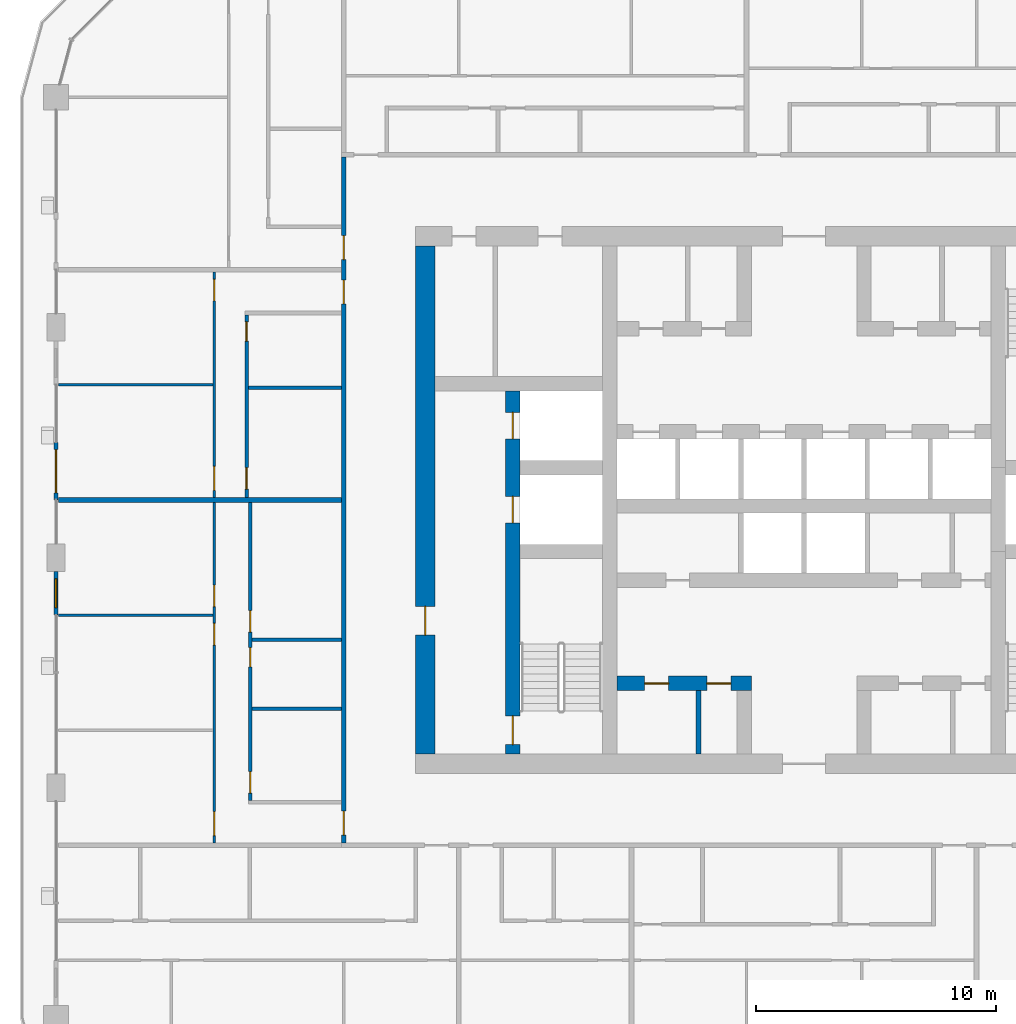
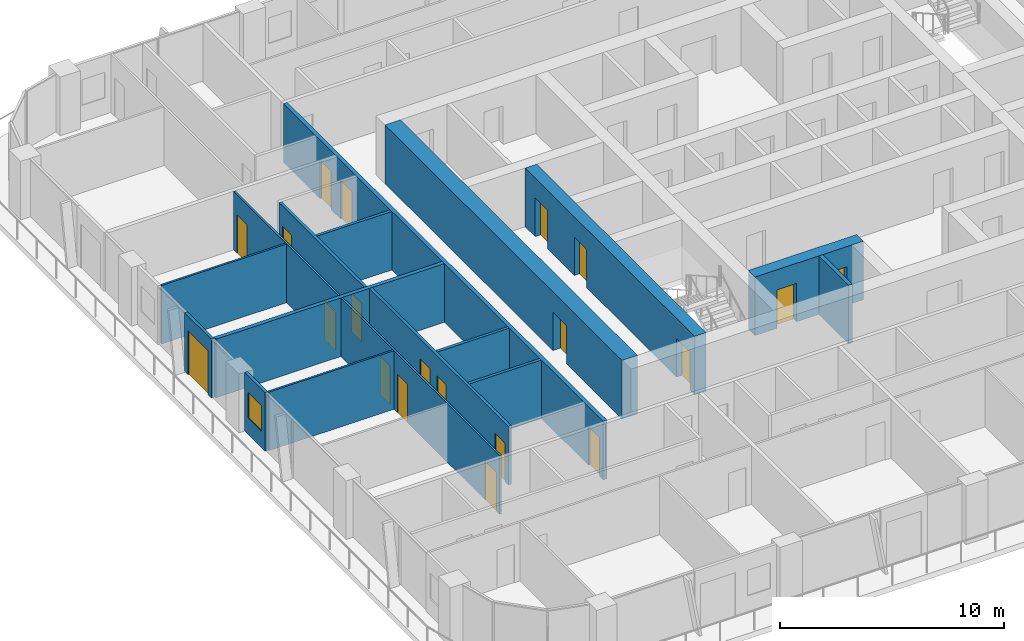
# One storey, part 10 of 22: 20 doors, 17 walls, 1 window, 21 openings.
"""IFC4 building model written with IfcOpenShell, lengths in metres."""

from ifc_helpers import new_model, si_unit, direction, frame, frame_2d, origin, place, context, subcontext, project, spatial, rectangle, extrude, material, layer, layer_set, type_object, element, fill, save


model = new_model("IFC4")

# Units and contexts
model_context = context("Model", 3, precision=1e-05, world=origin(), true_north=direction((0.0, 1.0)))
body_context = subcontext(model_context, "Body", "Model", "MODEL_VIEW")
ifc_project = project(units=[si_unit("LENGTHUNIT", "METRE"), si_unit("AREAUNIT", "SQUARE_METRE"), si_unit("VOLUMEUNIT", "CUBIC_METRE"), si_unit("PLANEANGLEUNIT", "RADIAN"), si_unit("MASSUNIT", "GRAM", prefix="KILO")], contexts=[model_context])

# Site, building, storey
site_placement = place(None, origin())
site = spatial("IfcSite", under=ifc_project, at=site_placement, CompositionType="ELEMENT")
building_placement = place(site_placement, origin())
building = spatial("IfcBuilding", under=site, at=building_placement, Name="Madar Terraces", CompositionType="ELEMENT")
storey_placement = place(building_placement, frame((0.0, 0.0, 159.5)))
storey = spatial("IfcBuildingStorey", under=building, at=storey_placement, Name="L41", CompositionType="ELEMENT", Elevation=159.5)

# Wall, openings, doors
ifc_material_1 = material(Name="Concrete C70/85", Category="concrete")
ifc_layer_1 = layer(ifc_material_1, 0.60009765625)
ifc_layer_set_1 = layer_set([ifc_layer_1], Name="Concrete C70/85 (CIW3 RC wall 600)")
wall_type_1 = type_object("IfcWallType", Name="CIW3 RC wall 600", PredefinedType="SHEAR", material=ifc_layer_set_1)
wall_1_placement = place(storey_placement, frame((19.050048828125, 15.800048828125, 0.0), z_axis=(0.0, 0.0, 1.0), x_axis=(0.0, 1.0, 0.0)))
wall_1 = element("IfcWall", 1, at=wall_1_placement, inside=storey, type_object=wall_type_1, Name="CORE SHAFT WALL", PredefinedType="SHEAR", context=body_context, shape_type="SweptSolid", body=[
    extrude(rectangle(XDim=15.14990234375, YDim=0.60009765625, at=frame_2d((7.574951171875, 0.0))), origin(), (0.0, 0.0, 1.0), 3.199951171875),
])
opening_1_placement = place(wall_1_placement, frame((9.64990234375, 0.0, 0.0)))
opening_1 = element("IfcOpeningElement", 2, at=opening_1_placement, cuts=wall_1, Name="Opening LD", PredefinedType="OPENING", context=body_context, shape_type="SweptSolid", body=[
    extrude(rectangle(XDim=1.10009765625, YDim=2.10009765625, at=frame_2d((0.550048828125, 1.050048828125))), frame((0.0, 0.31005859375, 0.0), z_axis=(0.0, -1.0, 0.0), x_axis=(1.0, 0.0, 0.0)), (0.0, 0.0, 1.0), 0.6201171875),
])
opening_2_placement = place(wall_1_placement, frame((13.14990234375, 0.0, 0.0)))
opening_2 = element("IfcOpeningElement", 3, at=opening_2_placement, cuts=wall_1, Name="Opening LD", PredefinedType="OPENING", context=body_context, shape_type="SweptSolid", body=[
    extrude(rectangle(XDim=1.10009765625, YDim=2.10009765625, at=frame_2d((0.550048828125, 1.050048828125))), frame((0.0, 0.31005859375, 0.0), z_axis=(0.0, -1.0, 0.0), x_axis=(1.0, 0.0, 0.0)), (0.0, 0.0, 1.0), 0.6201171875),
])
opening_3_placement = place(wall_1_placement, frame((0.39990234375, 0.0, 0.0)))
opening_3 = element("IfcOpeningElement", 4, at=opening_3_placement, cuts=wall_1, Name="Opening SD1", PredefinedType="OPENING", context=body_context, shape_type="SweptSolid", body=[
    extrude(rectangle(XDim=1.199951171875, YDim=2.10009765625, at=frame_2d((0.60009765625, 1.050048828125))), frame((0.0, 0.31005859375, 0.0), z_axis=(0.0, -1.0, 0.0), x_axis=(1.0, 0.0, 0.0)), (0.0, 0.0, 1.0), 0.6201171875),
])
ifc_material_2 = material(Name="Stainless steel panel", Category="steel")
door_type_1 = type_object("IfcDoorType", Name="Lift landing door 1100 x 2100", OperationType="DOUBLE_DOOR_SLIDING", PredefinedType="DOOR", material=ifc_material_2)
door_1_placement = place(opening_1_placement, origin())
door_1 = element("IfcDoor", 5, at=door_1_placement, inside=storey, type_object=door_type_1, Name="LIFT LANDING DOOR", OperationType="DOUBLE_DOOR_SLIDING", OverallHeight=2.10009765625, OverallWidth=1.10009765625, PredefinedType="DOOR", context=body_context, shape_type="SweptSolid", body=[
    extrude(rectangle(XDim=1.10009765625, YDim=2.10009765625, at=frame_2d((0.550048828125, 1.050048828125))), frame((0.0, 0.02490234375, 0.0), z_axis=(0.0, -1.0, 0.0), x_axis=(1.0, 0.0, 0.0)), (0.0, 0.0, 1.0), 0.050048828125),
])
fill(opening_1, door_1)
door_2_placement = place(opening_2_placement, origin())
door_2 = element("IfcDoor", 6, at=door_2_placement, inside=storey, type_object=door_type_1, Name="LIFT LANDING DOOR", OperationType="DOUBLE_DOOR_SLIDING", OverallHeight=2.10009765625, OverallWidth=1.10009765625, PredefinedType="DOOR", context=body_context, shape_type="SweptSolid", body=[
    extrude(rectangle(XDim=1.10009765625, YDim=2.10009765625, at=frame_2d((0.550048828125, 1.050048828125))), frame((0.0, 0.02490234375, 0.0), z_axis=(0.0, -1.0, 0.0), x_axis=(1.0, 0.0, 0.0)), (0.0, 0.0, 1.0), 0.050048828125),
])
fill(opening_2, door_2)
ifc_material_3 = material(Name="Steel door leaf", Category="steel")
door_type_2 = type_object("IfcDoorType", Name="Stair door 1200 x 2100", OperationType="NOTDEFINED", PredefinedType="DOOR", material=ifc_material_3)
door_3_placement = place(opening_3_placement, frame((1.199951171875, 0.0, 0.0), z_axis=(0.0, 0.0, 1.0), x_axis=(-1.0, 0.0, 0.0)))
door_3 = element("IfcDoor", 7, at=door_3_placement, inside=storey, type_object=door_type_2, Name="STAIR DOOR", OperationType="SINGLE_SWING_LEFT", OverallHeight=2.10009765625, OverallWidth=1.199951171875, PredefinedType="DOOR", context=body_context, shape_type="SweptSolid", body=[
    extrude(rectangle(XDim=1.199951171875, YDim=2.10009765625, at=frame_2d((0.60009765625, 1.050048828125))), frame((0.0, 0.02490234375, 0.0), z_axis=(0.0, -1.0, 0.0), x_axis=(1.0, 0.0, 0.0)), (0.0, 0.0, 1.0), 0.050048828125),
])
fill(opening_3, door_3)

wall_2_placement = place(storey_placement, frame((23.39990234375, 18.75, 0.0), z_axis=(0.0, 0.0, 1.0), x_axis=(1.0, 0.0, 0.0)))
wall_2 = element("IfcWall", 8, at=wall_2_placement, inside=storey, type_object=wall_type_1, Name="CORE SHAFT WALL", PredefinedType="SHEAR", context=body_context, shape_type="SweptSolid", body=[
    extrude(rectangle(XDim=5.60009765625, YDim=0.60009765625, at=frame_2d((2.800048828125, 0.0))), origin(), (0.0, 0.0, 1.0), 3.199951171875),
])
opening_4_placement = place(wall_2_placement, frame((1.14990234375, 0.0, 0.0)))
opening_4 = element("IfcOpeningElement", 9, at=opening_4_placement, cuts=wall_2, Name="Opening KD2", PredefinedType="OPENING", context=body_context, shape_type="SweptSolid", body=[
    extrude(rectangle(XDim=1.0, YDim=2.10009765625, at=frame_2d((0.5, 1.050048828125))), frame((0.0, 0.31005859375, 0.0), z_axis=(0.0, -1.0, 0.0), x_axis=(1.0, 0.0, 0.0)), (0.0, 0.0, 1.0), 0.6201171875),
])
opening_5_placement = place(wall_2_placement, frame((3.75, 0.0, 0.0)))
opening_5 = element("IfcOpeningElement", 10, at=opening_5_placement, cuts=wall_2, Name="Opening KD2", PredefinedType="OPENING", context=body_context, shape_type="SweptSolid", body=[
    extrude(rectangle(XDim=1.0, YDim=2.10009765625, at=frame_2d((0.5, 1.050048828125))), frame((0.0, 0.31005859375, 0.0), z_axis=(0.0, -1.0, 0.0), x_axis=(1.0, 0.0, 0.0)), (0.0, 0.0, 1.0), 0.6201171875),
])
ifc_material_4 = material(Name="Steel door leaf", Category="steel")
door_type_3 = type_object("IfcDoorType", Name="Service room door 1000 x 2100", OperationType="NOTDEFINED", PredefinedType="DOOR", material=ifc_material_4)
door_4_placement = place(opening_4_placement, origin())
door_4 = element("IfcDoor", 11, at=door_4_placement, inside=storey, type_object=door_type_3, Name="SERVICE ROOM DOOR", OperationType="SINGLE_SWING_LEFT", OverallHeight=2.10009765625, OverallWidth=1.0, PredefinedType="DOOR", context=body_context, shape_type="SweptSolid", body=[
    extrude(rectangle(XDim=1.0, YDim=2.10009765625, at=frame_2d((0.5, 1.050048828125))), frame((0.0, 0.02490234375, 0.0), z_axis=(0.0, -1.0, 0.0), x_axis=(1.0, 0.0, 0.0)), (0.0, 0.0, 1.0), 0.050048828125),
])
fill(opening_4, door_4)
door_5_placement = place(opening_5_placement, origin())
door_5 = element("IfcDoor", 12, at=door_5_placement, inside=storey, type_object=door_type_3, Name="SERVICE ROOM DOOR", OperationType="SINGLE_SWING_RIGHT", OverallHeight=2.10009765625, OverallWidth=1.0, PredefinedType="DOOR", context=body_context, shape_type="SweptSolid", body=[
    extrude(rectangle(XDim=1.0, YDim=2.10009765625, at=frame_2d((0.5, 1.050048828125))), frame((0.0, 0.02490234375, 0.0), z_axis=(0.0, -1.0, 0.0), x_axis=(1.0, 0.0, 0.0)), (0.0, 0.0, 1.0), 0.050048828125),
])
fill(opening_5, door_5)

# Wall, opening, door
ifc_material_5 = material(Name="Concrete C70/85", Category="concrete")
ifc_layer_2 = layer(ifc_material_5, 0.800048828125)
ifc_layer_set_2 = layer_set([ifc_layer_2], Name="Concrete C70/85 (CRW3 RC wall 800)")
wall_type_2 = type_object("IfcWallType", Name="CRW3 RC wall 800", PredefinedType="SHEAR", material=ifc_layer_set_2)
wall_3_placement = place(storey_placement, frame((15.39990234375, 15.800048828125, 0.0), z_axis=(0.0, 0.0, 1.0), x_axis=(0.0, 1.0, 0.0)))
wall_3 = element("IfcWall", 13, at=wall_3_placement, inside=storey, type_object=wall_type_2, Name="CORE OUTER WALL", PredefinedType="SHEAR", context=body_context, shape_type="SweptSolid", body=[
    extrude(rectangle(XDim=21.199951171875, YDim=0.800048828125, at=frame_2d((10.60009765625, 0.0))), origin(), (0.0, 0.0, 1.0), 3.199951171875),
])
opening_6_placement = place(wall_3_placement, frame((4.9599609375, 0.0, 0.0)))
opening_6 = element("IfcOpeningElement", 14, at=opening_6_placement, cuts=wall_3, Name="Opening SD1", PredefinedType="OPENING", context=body_context, shape_type="SweptSolid", body=[
    extrude(rectangle(XDim=1.199951171875, YDim=2.10009765625, at=frame_2d((0.60009765625, 1.050048828125))), frame((0.0, 0.409912109375, 0.0), z_axis=(0.0, -1.0, 0.0), x_axis=(1.0, 0.0, 0.0)), (0.0, 0.0, 1.0), 0.820068359375),
])
door_6_placement = place(opening_6_placement, frame((1.199951171875, 0.0, 0.0), z_axis=(0.0, 0.0, 1.0), x_axis=(-1.0, 0.0, 0.0)))
door_6 = element("IfcDoor", 15, at=door_6_placement, inside=storey, type_object=door_type_2, Name="STAIR DOOR", OperationType="SINGLE_SWING_RIGHT", OverallHeight=2.10009765625, OverallWidth=1.199951171875, PredefinedType="DOOR", context=body_context, shape_type="SweptSolid", body=[
    extrude(rectangle(XDim=1.199951171875, YDim=2.10009765625, at=frame_2d((0.60009765625, 1.050048828125))), frame((0.0, 0.02490234375, 0.0), z_axis=(0.0, -1.0, 0.0), x_axis=(1.0, 0.0, 0.0)), (0.0, 0.0, 1.0), 0.050048828125),
])
fill(opening_6, door_6)

# Wall
ifc_material_6 = material(Name="Masonry blockwork", Category="masonry")
ifc_layer_3 = layer(ifc_material_6, 0.199951171875)
ifc_layer_set_3 = layer_set([ifc_layer_3], Name="Core partition 200 blockwork")
wall_type_3 = type_object("IfcWallType", Name="Core partition 200 blockwork", PredefinedType="PARTITIONING", material=ifc_layer_set_3)
wall_4_placement = place(storey_placement, frame((26.800048828125, 15.800048828125, 0.0), z_axis=(0.0, 0.0, 1.0), x_axis=(0.0, 1.0, 0.0)))
element("IfcWall", 16, at=wall_4_placement, inside=storey, type_object=wall_type_3, Name="SERVICE ROOM PARTITION", PredefinedType="PARTITIONING", context=body_context, shape_type="SweptSolid", body=[
    extrude(rectangle(XDim=2.64990234375, YDim=0.199951171875, at=frame_2d((1.324951171875, 0.0))), origin(), (0.0, 0.0, 1.0), 3.199951171875),
])

# Wall, opening, door
ifc_material_7 = material(Name="Aluminium composite panel, black, over insulated backing", Category="aluminium")
ifc_layer_4 = layer(ifc_material_7, 0.14990234375)
ifc_layer_set_4 = layer_set([ifc_layer_4], Name="Facade bay panel 150")
wall_type_4 = type_object("IfcWallType", Name="Facade bay panel 150", PredefinedType="SOLIDWALL", material=ifc_layer_set_4)
wall_5_placement = place(storey_placement, frame((0.0, 28.800048828125, 0.0), z_axis=(0.0, 0.0, 1.0), x_axis=(0.0, -1.0, 0.0)))
wall_5 = element("IfcWall", 17, at=wall_5_placement, inside=storey, type_object=wall_type_4, Name="Facade bay panel", PredefinedType="SOLIDWALL", context=body_context, shape_type="SweptSolid", body=[
    extrude(rectangle(XDim=2.400146484375, YDim=0.14990234375, at=frame_2d((1.2001953125, 0.0))), origin(), (0.0, 0.0, 1.0), 3.199951171875),
])
opening_7_placement = place(wall_5_placement, frame((0.300048828125, 0.0, 0.0)))
opening_7 = element("IfcOpeningElement", 18, at=opening_7_placement, cuts=wall_5, Name="Opening ED1", PredefinedType="OPENING", context=body_context, shape_type="SweptSolid", body=[
    extrude(rectangle(XDim=1.800048828125, YDim=2.39990234375, at=frame_2d((0.89990234375, 1.199951171875))), frame((0.0, 0.0849609375, 0.0), z_axis=(0.0, -1.0, 0.0), x_axis=(1.0, 0.0, 0.0)), (0.0, 0.0, 1.0), 0.169921875),
])
ifc_material_8 = material(Name="Glass, clear, with black aluminium frame", Category="aluminium")
door_type_4 = type_object("IfcDoorType", Name="Balcony and terrace sliding door 1800 x 2400", OperationType="SLIDING_TO_LEFT", PredefinedType="DOOR", material=ifc_material_8)
door_7_placement = place(opening_7_placement, origin())
door_7 = element("IfcDoor", 19, at=door_7_placement, inside=storey, type_object=door_type_4, Name="Balcony door", OperationType="SLIDING_TO_RIGHT", OverallHeight=2.39990234375, OverallWidth=1.800048828125, PredefinedType="DOOR", context=body_context, shape_type="SweptSolid", body=[
    extrude(rectangle(XDim=1.800048828125, YDim=2.39990234375, at=frame_2d((0.89990234375, 1.199951171875))), frame((0.0, 0.02490234375, 0.0), z_axis=(0.0, -1.0, 0.0), x_axis=(1.0, 0.0, 0.0)), (0.0, 0.0, 1.0), 0.050048828125),
])
fill(opening_7, door_7)

# Wall, opening, window
wall_6_placement = place(storey_placement, frame((0.0, 23.425048828125, 0.0), z_axis=(0.0, 0.0, 1.0), x_axis=(0.0, -1.0, 0.0)))
wall_6 = element("IfcWall", 20, at=wall_6_placement, inside=storey, type_object=wall_type_4, Name="Facade bay panel", PredefinedType="SOLIDWALL", context=body_context, shape_type="SweptSolid", body=[
    extrude(rectangle(XDim=1.824951171875, YDim=0.14990234375, at=frame_2d((0.91259765625, 0.0))), origin(), (0.0, 0.0, 1.0), 3.199951171875),
])
opening_8_placement = place(wall_6_placement, frame((0.3125, 0.0, 0.89990234375)))
opening_8 = element("IfcOpeningElement", 21, at=opening_8_placement, cuts=wall_6, Name="Opening W1", PredefinedType="OPENING", context=body_context, shape_type="SweptSolid", body=[
    extrude(rectangle(XDim=1.199951171875, YDim=1.39990234375, at=frame_2d((0.60009765625, 0.699951171875))), frame((0.0, 0.0849609375, 0.0), z_axis=(0.0, -1.0, 0.0), x_axis=(1.0, 0.0, 0.0)), (0.0, 0.0, 1.0), 0.169921875),
])
ifc_material_9 = material(Name="Glass, clear, with black aluminium frame", Category="aluminium")
window_type = type_object("IfcWindowType", Name="Vent window 1200 x 1400", PartitioningType="SINGLE_PANEL", PredefinedType="WINDOW", material=ifc_material_9)
window_placement = place(opening_8_placement, origin())
window = element("IfcWindow", 22, at=window_placement, inside=storey, type_object=window_type, Name="Operable vent window", OverallHeight=1.39990234375, OverallWidth=1.199951171875, PartitioningType="SINGLE_PANEL", PredefinedType="WINDOW", context=body_context, shape_type="SweptSolid", body=[
    extrude(rectangle(XDim=1.199951171875, YDim=1.39990234375, at=frame_2d((0.60009765625, 0.699951171875))), frame((0.0, 0.030029296875, 0.0), z_axis=(0.0, -1.0, 0.0), x_axis=(1.0, 0.0, 0.0)), (0.0, 0.0, 1.0), 0.06005859375),
])
fill(opening_8, window)

# Wall
ifc_material_10 = material(Name="Gypsum board on steel studs", Category="steel")
ifc_layer_5 = layer(ifc_material_10, 0.10009765625)
ifc_layer_set_5 = layer_set([ifc_layer_5], Name="Flat partition 100")
wall_type_5 = type_object("IfcWallType", Name="Flat partition 100", PredefinedType="PARTITIONING", material=ifc_layer_set_5)
wall_7_placement = place(storey_placement, frame((6.550048828125, 31.199951171875, 0.0), z_axis=(0.0, 0.0, 1.0), x_axis=(-1.0, 0.0, 0.0)))
element("IfcWall", 23, at=wall_7_placement, inside=storey, type_object=wall_type_5, Name="Flat partition 100", PredefinedType="PARTITIONING", context=body_context, shape_type="SweptSolid", body=[
    extrude(rectangle(XDim=6.449951171875, YDim=0.10009765625, at=frame_2d((3.22509765625, 0.0))), origin(), (0.0, 0.0, 1.0), 3.199951171875),
])

# Wall, openings, doors
wall_8_placement = place(storey_placement, frame((6.60009765625, 26.5, 0.0), z_axis=(0.0, 0.0, 1.0), x_axis=(0.0, 1.0, 0.0)))
wall_8 = element("IfcWall", 24, at=wall_8_placement, inside=storey, type_object=wall_type_5, Name="Flat partition 100", PredefinedType="PARTITIONING", context=body_context, shape_type="SweptSolid", body=[
    extrude(rectangle(XDim=9.39990234375, YDim=0.10009765625, at=frame_2d((4.699951171875, 0.0))), origin(), (0.0, 0.0, 1.0), 3.199951171875),
])
opening_9_placement = place(wall_8_placement, frame((8.199951171875, 0.0, 0.0)))
opening_9 = element("IfcOpeningElement", 25, at=opening_9_placement, cuts=wall_8, Name="Opening D2", PredefinedType="OPENING", context=body_context, shape_type="SweptSolid", body=[
    extrude(rectangle(XDim=0.89990234375, YDim=2.10009765625, at=frame_2d((0.449951171875, 1.050048828125))), frame((0.0, 0.06005859375, 0.0), z_axis=(0.0, -1.0, 0.0), x_axis=(1.0, 0.0, 0.0)), (0.0, 0.0, 1.0), 0.1201171875),
])
opening_10_placement = place(wall_8_placement, frame((0.300048828125, 0.0, 0.0)))
opening_10 = element("IfcOpeningElement", 26, at=opening_10_placement, cuts=wall_8, Name="Opening D3", PredefinedType="OPENING", context=body_context, shape_type="SweptSolid", body=[
    extrude(rectangle(XDim=1.0, YDim=2.10009765625, at=frame_2d((0.5, 1.050048828125))), frame((0.0, 0.06005859375, 0.0), z_axis=(0.0, -1.0, 0.0), x_axis=(1.0, 0.0, 0.0)), (0.0, 0.0, 1.0), 0.1201171875),
])
ifc_material_11 = material(Name="Timber door leaf", Category="wood")
door_type_5 = type_object("IfcDoorType", Name="Flat living room door 1000", OperationType="NOTDEFINED", PredefinedType="DOOR", material=ifc_material_11)
door_8_placement = place(opening_10_placement, origin())
door_8 = element("IfcDoor", 27, at=door_8_placement, inside=storey, type_object=door_type_5, Name="Flat living room door 1000", OperationType="SINGLE_SWING_LEFT", OverallHeight=2.10009765625, OverallWidth=1.0, PredefinedType="DOOR", context=body_context, shape_type="SweptSolid", body=[
    extrude(rectangle(XDim=1.0, YDim=2.10009765625, at=frame_2d((0.5, 1.050048828125))), frame((0.0, 0.02490234375, 0.0), z_axis=(0.0, -1.0, 0.0), x_axis=(1.0, 0.0, 0.0)), (0.0, 0.0, 1.0), 0.050048828125),
])
fill(opening_10, door_8)
ifc_material_12 = material(Name="Timber door leaf", Category="wood")
door_type_6 = type_object("IfcDoorType", Name="Flat room door 900", OperationType="NOTDEFINED", PredefinedType="DOOR", material=ifc_material_12)
door_9_placement = place(opening_9_placement, origin())
door_9 = element("IfcDoor", 28, at=door_9_placement, inside=storey, type_object=door_type_6, Name="Flat room door 900", OperationType="SINGLE_SWING_RIGHT", OverallHeight=2.10009765625, OverallWidth=0.89990234375, PredefinedType="DOOR", context=body_context, shape_type="SweptSolid", body=[
    extrude(rectangle(XDim=0.89990234375, YDim=2.10009765625, at=frame_2d((0.449951171875, 1.050048828125))), frame((0.0, 0.02490234375, 0.0), z_axis=(0.0, -1.0, 0.0), x_axis=(1.0, 0.0, 0.0)), (0.0, 0.0, 1.0), 0.050048828125),
])
fill(opening_9, door_9)

# Wall
wall_9_placement = place(storey_placement, frame((6.550048828125, 21.60009765625, 0.0), z_axis=(0.0, 0.0, 1.0), x_axis=(-1.0, 0.0, 0.0)))
element("IfcWall", 29, at=wall_9_placement, inside=storey, type_object=wall_type_5, Name="Flat partition 100", PredefinedType="PARTITIONING", context=body_context, shape_type="SweptSolid", body=[
    extrude(rectangle(XDim=6.449951171875, YDim=0.10009765625, at=frame_2d((3.22509765625, 0.0))), origin(), (0.0, 0.0, 1.0), 3.199951171875),
])

# Wall, openings, doors
wall_10_placement = place(storey_placement, frame((6.60009765625, 12.10009765625, 0.0), z_axis=(0.0, 0.0, 1.0), x_axis=(0.0, 1.0, 0.0)))
wall_10 = element("IfcWall", 30, at=wall_10_placement, inside=storey, type_object=wall_type_5, Name="Flat partition 100", PredefinedType="PARTITIONING", context=body_context, shape_type="SweptSolid", body=[
    extrude(rectangle(XDim=14.199951171875, YDim=0.10009765625, at=frame_2d((7.10009765625, 0.0))), origin(), (0.0, 0.0, 1.0), 3.199951171875),
])
opening_11_placement = place(wall_10_placement, frame((0.300048828125, 0.0, 0.0)))
opening_11 = element("IfcOpeningElement", 31, at=opening_11_placement, cuts=wall_10, Name="Opening D3", PredefinedType="OPENING", context=body_context, shape_type="SweptSolid", body=[
    extrude(rectangle(XDim=1.0, YDim=2.10009765625, at=frame_2d((0.5, 1.050048828125))), frame((0.0, 0.06005859375, 0.0), z_axis=(0.0, -1.0, 0.0), x_axis=(1.0, 0.0, 0.0)), (0.0, 0.0, 1.0), 0.1201171875),
])
opening_12_placement = place(wall_10_placement, frame((8.25, 0.0, 0.0)))
opening_12 = element("IfcOpeningElement", 32, at=opening_12_placement, cuts=wall_10, Name="Opening D2", PredefinedType="OPENING", context=body_context, shape_type="SweptSolid", body=[
    extrude(rectangle(XDim=0.89990234375, YDim=2.10009765625, at=frame_2d((0.449951171875, 1.050048828125))), frame((0.0, 0.06005859375, 0.0), z_axis=(0.0, -1.0, 0.0), x_axis=(1.0, 0.0, 0.0)), (0.0, 0.0, 1.0), 0.1201171875),
])
opening_13_placement = place(wall_10_placement, frame((9.85009765625, 0.0, 0.0)))
opening_13 = element("IfcOpeningElement", 33, at=opening_13_placement, cuts=wall_10, Name="Opening D2", PredefinedType="OPENING", context=body_context, shape_type="SweptSolid", body=[
    extrude(rectangle(XDim=0.89990234375, YDim=2.10009765625, at=frame_2d((0.449951171875, 1.050048828125))), frame((0.0, 0.06005859375, 0.0), z_axis=(0.0, -1.0, 0.0), x_axis=(1.0, 0.0, 0.0)), (0.0, 0.0, 1.0), 0.1201171875),
])
door_10_placement = place(opening_11_placement, origin())
door_10 = element("IfcDoor", 34, at=door_10_placement, inside=storey, type_object=door_type_5, Name="Flat living room door 1000", OperationType="SINGLE_SWING_LEFT", OverallHeight=2.10009765625, OverallWidth=1.0, PredefinedType="DOOR", context=body_context, shape_type="SweptSolid", body=[
    extrude(rectangle(XDim=1.0, YDim=2.10009765625, at=frame_2d((0.5, 1.050048828125))), frame((0.0, 0.02490234375, 0.0), z_axis=(0.0, -1.0, 0.0), x_axis=(1.0, 0.0, 0.0)), (0.0, 0.0, 1.0), 0.050048828125),
])
fill(opening_11, door_10)
door_11_placement = place(opening_12_placement, origin())
door_11 = element("IfcDoor", 35, at=door_11_placement, inside=storey, type_object=door_type_6, Name="Flat room door 900", OperationType="SINGLE_SWING_RIGHT", OverallHeight=2.10009765625, OverallWidth=0.89990234375, PredefinedType="DOOR", context=body_context, shape_type="SweptSolid", body=[
    extrude(rectangle(XDim=0.89990234375, YDim=2.10009765625, at=frame_2d((0.449951171875, 1.050048828125))), frame((0.0, 0.02490234375, 0.0), z_axis=(0.0, -1.0, 0.0), x_axis=(1.0, 0.0, 0.0)), (0.0, 0.0, 1.0), 0.050048828125),
])
fill(opening_12, door_11)
door_12_placement = place(opening_13_placement, origin())
door_12 = element("IfcDoor", 36, at=door_12_placement, inside=storey, type_object=door_type_6, Name="Flat room door 900", OperationType="SINGLE_SWING_LEFT", OverallHeight=2.10009765625, OverallWidth=0.89990234375, PredefinedType="DOOR", context=body_context, shape_type="SweptSolid", body=[
    extrude(rectangle(XDim=0.89990234375, YDim=2.10009765625, at=frame_2d((0.449951171875, 1.050048828125))), frame((0.0, 0.02490234375, 0.0), z_axis=(0.0, -1.0, 0.0), x_axis=(1.0, 0.0, 0.0)), (0.0, 0.0, 1.0), 0.050048828125),
])
fill(opening_13, door_12)

ifc_material_13 = material(Name="Lightweight blockwork", Category="masonry")
ifc_layer_6 = layer(ifc_material_13, 0.199951171875)
ifc_layer_set_6 = layer_set([ifc_layer_6], Name="Flat party and entrance wall 200")
wall_type_6 = type_object("IfcWallType", Name="Flat party and entrance wall 200", PredefinedType="PARTITIONING", material=ifc_layer_set_6)
wall_11_placement = place(storey_placement, frame((12.0, 12.10009765625, 0.0), z_axis=(0.0, 0.0, 1.0), x_axis=(0.0, 1.0, 0.0)))
wall_11 = element("IfcWall", 37, at=wall_11_placement, inside=storey, type_object=wall_type_6, Name="Flat party and entrance wall 200", PredefinedType="PARTITIONING", context=body_context, shape_type="SweptSolid", body=[
    extrude(rectangle(XDim=28.599853515625, YDim=0.199951171875, at=frame_2d((14.2998046875, 0.0))), origin(), (0.0, 0.0, 1.0), 3.199951171875),
])
opening_14_placement = place(wall_11_placement, frame((24.324951171875, 0.0, 0.0)))
opening_14 = element("IfcOpeningElement", 38, at=opening_14_placement, cuts=wall_11, Name="Opening D1", PredefinedType="OPENING", context=body_context, shape_type="SweptSolid", body=[
    extrude(rectangle(XDim=1.0, YDim=2.10009765625, at=frame_2d((0.5, 1.050048828125))), frame((0.0, 0.10986328125, 0.0), z_axis=(0.0, -1.0, 0.0), x_axis=(1.0, 0.0, 0.0)), (0.0, 0.0, 1.0), 0.219970703125),
])
opening_15_placement = place(wall_11_placement, frame((22.47509765625, 0.0, 0.0)))
opening_15 = element("IfcOpeningElement", 39, at=opening_15_placement, cuts=wall_11, Name="Opening D1", PredefinedType="OPENING", context=body_context, shape_type="SweptSolid", body=[
    extrude(rectangle(XDim=1.0, YDim=2.10009765625, at=frame_2d((0.5, 1.050048828125))), frame((0.0, 0.10986328125, 0.0), z_axis=(0.0, -1.0, 0.0), x_axis=(1.0, 0.0, 0.0)), (0.0, 0.0, 1.0), 0.219970703125),
])
opening_16_placement = place(wall_11_placement, frame((0.324951171875, 0.0, 0.0)))
opening_16 = element("IfcOpeningElement", 40, at=opening_16_placement, cuts=wall_11, Name="Opening D1", PredefinedType="OPENING", context=body_context, shape_type="SweptSolid", body=[
    extrude(rectangle(XDim=1.0, YDim=2.10009765625, at=frame_2d((0.5, 1.050048828125))), frame((0.0, 0.10986328125, 0.0), z_axis=(0.0, -1.0, 0.0), x_axis=(1.0, 0.0, 0.0)), (0.0, 0.0, 1.0), 0.219970703125),
])
ifc_material_14 = material(Name="Timber fire door leaf", Category="wood")
door_type_7 = type_object("IfcDoorType", Name="Flat entrance door 1000 FD30S", OperationType="NOTDEFINED", PredefinedType="DOOR", material=ifc_material_14)
door_13_placement = place(opening_14_placement, origin())
door_13 = element("IfcDoor", 41, at=door_13_placement, inside=storey, type_object=door_type_7, Name="Flat entrance door 1000 FD30S", OperationType="SINGLE_SWING_LEFT", OverallHeight=2.10009765625, OverallWidth=1.0, PredefinedType="DOOR", context=body_context, shape_type="SweptSolid", body=[
    extrude(rectangle(XDim=1.0, YDim=2.10009765625, at=frame_2d((0.5, 1.050048828125))), frame((0.0, 0.02490234375, 0.0), z_axis=(0.0, -1.0, 0.0), x_axis=(1.0, 0.0, 0.0)), (0.0, 0.0, 1.0), 0.050048828125),
])
fill(opening_14, door_13)
door_14_placement = place(opening_15_placement, origin())
door_14 = element("IfcDoor", 42, at=door_14_placement, inside=storey, type_object=door_type_7, Name="Flat entrance door 1000 FD30S", OperationType="SINGLE_SWING_RIGHT", OverallHeight=2.10009765625, OverallWidth=1.0, PredefinedType="DOOR", context=body_context, shape_type="SweptSolid", body=[
    extrude(rectangle(XDim=1.0, YDim=2.10009765625, at=frame_2d((0.5, 1.050048828125))), frame((0.0, 0.02490234375, 0.0), z_axis=(0.0, -1.0, 0.0), x_axis=(1.0, 0.0, 0.0)), (0.0, 0.0, 1.0), 0.050048828125),
])
fill(opening_15, door_14)
door_15_placement = place(opening_16_placement, origin())
door_15 = element("IfcDoor", 43, at=door_15_placement, inside=storey, type_object=door_type_7, Name="Flat entrance door 1000 FD30S", OperationType="SINGLE_SWING_LEFT", OverallHeight=2.10009765625, OverallWidth=1.0, PredefinedType="DOOR", context=body_context, shape_type="SweptSolid", body=[
    extrude(rectangle(XDim=1.0, YDim=2.10009765625, at=frame_2d((0.5, 1.050048828125))), frame((0.0, 0.02490234375, 0.0), z_axis=(0.0, -1.0, 0.0), x_axis=(1.0, 0.0, 0.0)), (0.0, 0.0, 1.0), 0.050048828125),
])
fill(opening_16, door_15)

# Walls
wall_12_placement = place(storey_placement, frame((0.10009765625, 26.39990234375, 0.0), z_axis=(0.0, 0.0, 1.0), x_axis=(1.0, 0.0, 0.0)))
element("IfcWall", 44, at=wall_12_placement, inside=storey, type_object=wall_type_6, Name="Flat party and entrance wall 200", PredefinedType="PARTITIONING", context=body_context, shape_type="SweptSolid", body=[
    extrude(rectangle(XDim=11.7998046875, YDim=0.199951171875, at=frame_2d((5.89990234375, 0.0))), origin(), (0.0, 0.0, 1.0), 3.199951171875),
])
ifc_material_15 = material(Name="Lightweight blockwork", Category="masonry")
ifc_layer_7 = layer(ifc_material_15, 0.14990234375)
ifc_layer_set_7 = layer_set([ifc_layer_7], Name="Flat wet-room partition 150")
wall_type_7 = type_object("IfcWallType", Name="Flat wet-room partition 150", PredefinedType="PARTITIONING", material=ifc_layer_set_7)
wall_13_placement = place(storey_placement, frame((11.89990234375, 31.074951171875, 0.0), z_axis=(0.0, 0.0, 1.0), x_axis=(-1.0, 0.0, 0.0)))
element("IfcWall", 45, at=wall_13_placement, inside=storey, type_object=wall_type_7, Name="Flat wet-room partition 150", PredefinedType="PARTITIONING", context=body_context, shape_type="SweptSolid", body=[
    extrude(rectangle(XDim=3.875, YDim=0.14990234375, at=frame_2d((1.9375, 0.0))), origin(), (0.0, 0.0, 1.0), 3.199951171875),
])

# Wall, openings, doors
wall_14_placement = place(storey_placement, frame((7.949951171875, 34.125, 0.0), z_axis=(0.0, 0.0, 1.0), x_axis=(0.0, -1.0, 0.0)))
wall_14 = element("IfcWall", 46, at=wall_14_placement, inside=storey, type_object=wall_type_7, Name="Flat wet-room partition 150", PredefinedType="PARTITIONING", context=body_context, shape_type="SweptSolid", body=[
    extrude(rectangle(XDim=7.625, YDim=0.14990234375, at=frame_2d((3.8125, 0.0))), origin(), (0.0, 0.0, 1.0), 3.199951171875),
])
opening_17_placement = place(wall_14_placement, frame((0.300048828125, 0.0, 0.0)))
opening_17 = element("IfcOpeningElement", 47, at=opening_17_placement, cuts=wall_14, Name="Opening D4", PredefinedType="OPENING", context=body_context, shape_type="SweptSolid", body=[
    extrude(rectangle(XDim=0.800048828125, YDim=2.10009765625, at=frame_2d((0.39990234375, 1.050048828125))), frame((0.0, 0.0849609375, 0.0), z_axis=(0.0, -1.0, 0.0), x_axis=(1.0, 0.0, 0.0)), (0.0, 0.0, 1.0), 0.169921875),
])
opening_18_placement = place(wall_14_placement, frame((6.375, 0.0, 0.0)))
opening_18 = element("IfcOpeningElement", 48, at=opening_18_placement, cuts=wall_14, Name="Opening D2", PredefinedType="OPENING", context=body_context, shape_type="SweptSolid", body=[
    extrude(rectangle(XDim=0.89990234375, YDim=2.10009765625, at=frame_2d((0.449951171875, 1.050048828125))), frame((0.0, 0.0849609375, 0.0), z_axis=(0.0, -1.0, 0.0), x_axis=(1.0, 0.0, 0.0)), (0.0, 0.0, 1.0), 0.169921875),
])
ifc_material_16 = material(Name="Timber door leaf", Category="wood")
door_type_8 = type_object("IfcDoorType", Name="Flat bathroom door 800", OperationType="NOTDEFINED", PredefinedType="DOOR", material=ifc_material_16)
door_16_placement = place(opening_17_placement, origin())
door_16 = element("IfcDoor", 49, at=door_16_placement, inside=storey, type_object=door_type_8, Name="Flat bathroom door 800", OperationType="SINGLE_SWING_LEFT", OverallHeight=2.10009765625, OverallWidth=0.800048828125, PredefinedType="DOOR", context=body_context, shape_type="SweptSolid", body=[
    extrude(rectangle(XDim=0.800048828125, YDim=2.10009765625, at=frame_2d((0.39990234375, 1.050048828125))), frame((0.0, 0.02490234375, 0.0), z_axis=(0.0, -1.0, 0.0), x_axis=(1.0, 0.0, 0.0)), (0.0, 0.0, 1.0), 0.050048828125),
])
fill(opening_17, door_16)
door_17_placement = place(opening_18_placement, origin())
door_17 = element("IfcDoor", 50, at=door_17_placement, inside=storey, type_object=door_type_6, Name="Flat room door 900", OperationType="SINGLE_SWING_RIGHT", OverallHeight=2.10009765625, OverallWidth=0.89990234375, PredefinedType="DOOR", context=body_context, shape_type="SweptSolid", body=[
    extrude(rectangle(XDim=0.89990234375, YDim=2.10009765625, at=frame_2d((0.449951171875, 1.050048828125))), frame((0.0, 0.02490234375, 0.0), z_axis=(0.0, -1.0, 0.0), x_axis=(1.0, 0.0, 0.0)), (0.0, 0.0, 1.0), 0.050048828125),
])
fill(opening_18, door_17)

# Walls
for number, where, z_axis, x_axis, name in (
    (51, (11.89990234375, 17.697998046875, 0.0), (0.0, 0.0, 1.0), (-1.0, 0.0, 0.0), "Flat wet-room partition 150"),
    (52, (11.89990234375, 20.5654296875, 0.0), (0.0, 0.0, 1.0), (-1.0, 0.0, 0.0), "Flat wet-room partition 150"),
):
    element("IfcWall", number, at=place(storey_placement, frame(where, z_axis=z_axis, x_axis=x_axis)), inside=storey, type_object=wall_type_7, Name=name, PredefinedType="PARTITIONING", context=body_context, shape_type="SweptSolid", body=[
        extrude(rectangle(XDim=3.724853515625, YDim=0.14990234375, at=frame_2d((1.8623046875, 0.0))), origin(), (0.0, 0.0, 1.0), 3.199951171875),
    ])

# Wall, openings, doors
wall_15_placement = place(storey_placement, frame((8.10009765625, 26.300048828125, 0.0), z_axis=(0.0, 0.0, 1.0), x_axis=(0.0, -1.0, 0.0)))
wall_15 = element("IfcWall", 53, at=wall_15_placement, inside=storey, type_object=wall_type_7, Name="Flat wet-room partition 150", PredefinedType="PARTITIONING", context=body_context, shape_type="SweptSolid", body=[
    extrude(rectangle(XDim=12.425048828125, YDim=0.14990234375, at=frame_2d((6.21240234375, 0.0))), origin(), (0.0, 0.0, 1.0), 3.199951171875),
])
opening_19_placement = place(wall_15_placement, frame((11.22509765625, 0.0, 0.0)))
opening_19 = element("IfcOpeningElement", 54, at=opening_19_placement, cuts=wall_15, Name="Opening D5", PredefinedType="OPENING", context=body_context, shape_type="SweptSolid", body=[
    extrude(rectangle(XDim=0.89990234375, YDim=2.10009765625, at=frame_2d((0.449951171875, 1.050048828125))), frame((0.0, 0.0849609375, 0.0), z_axis=(0.0, -1.0, 0.0), x_axis=(1.0, 0.0, 0.0)), (0.0, 0.0, 1.0), 0.169921875),
])
opening_20_placement = place(wall_15_placement, frame((6.0595703125, 0.0, 0.0)))
opening_20 = element("IfcOpeningElement", 55, at=opening_20_placement, cuts=wall_15, Name="Opening D4", PredefinedType="OPENING", context=body_context, shape_type="SweptSolid", body=[
    extrude(rectangle(XDim=0.800048828125, YDim=2.10009765625, at=frame_2d((0.39990234375, 1.050048828125))), frame((0.0, 0.0849609375, 0.0), z_axis=(0.0, -1.0, 0.0), x_axis=(1.0, 0.0, 0.0)), (0.0, 0.0, 1.0), 0.169921875),
])
opening_21_placement = place(wall_15_placement, frame((4.509521484375, 0.0, 0.0)))
opening_21 = element("IfcOpeningElement", 56, at=opening_21_placement, cuts=wall_15, Name="Opening D2", PredefinedType="OPENING", context=body_context, shape_type="SweptSolid", body=[
    extrude(rectangle(XDim=0.89990234375, YDim=2.10009765625, at=frame_2d((0.449951171875, 1.050048828125))), frame((0.0, 0.0849609375, 0.0), z_axis=(0.0, -1.0, 0.0), x_axis=(1.0, 0.0, 0.0)), (0.0, 0.0, 1.0), 0.169921875),
])
ifc_material_17 = material(Name="Timber door leaf", Category="wood")
door_type_9 = type_object("IfcDoorType", Name="Flat accessible bathroom door 900", OperationType="NOTDEFINED", PredefinedType="DOOR", material=ifc_material_17)
door_18_placement = place(opening_19_placement, origin())
door_18 = element("IfcDoor", 57, at=door_18_placement, inside=storey, type_object=door_type_9, Name="Flat accessible bathroom door 900", OperationType="SINGLE_SWING_RIGHT", OverallHeight=2.10009765625, OverallWidth=0.89990234375, PredefinedType="DOOR", context=body_context, shape_type="SweptSolid", body=[
    extrude(rectangle(XDim=0.89990234375, YDim=2.10009765625, at=frame_2d((0.449951171875, 1.050048828125))), frame((0.0, 0.02490234375, 0.0), z_axis=(0.0, -1.0, 0.0), x_axis=(1.0, 0.0, 0.0)), (0.0, 0.0, 1.0), 0.050048828125),
])
fill(opening_19, door_18)
door_19_placement = place(opening_20_placement, origin())
door_19 = element("IfcDoor", 58, at=door_19_placement, inside=storey, type_object=door_type_8, Name="Flat bathroom door 800", OperationType="SINGLE_SWING_LEFT", OverallHeight=2.10009765625, OverallWidth=0.800048828125, PredefinedType="DOOR", context=body_context, shape_type="SweptSolid", body=[
    extrude(rectangle(XDim=0.800048828125, YDim=2.10009765625, at=frame_2d((0.39990234375, 1.050048828125))), frame((0.0, 0.02490234375, 0.0), z_axis=(0.0, -1.0, 0.0), x_axis=(1.0, 0.0, 0.0)), (0.0, 0.0, 1.0), 0.050048828125),
])
fill(opening_20, door_19)
door_20_placement = place(opening_21_placement, origin())
door_20 = element("IfcDoor", 59, at=door_20_placement, inside=storey, type_object=door_type_6, Name="Flat room door 900", OperationType="SINGLE_SWING_RIGHT", OverallHeight=2.10009765625, OverallWidth=0.89990234375, PredefinedType="DOOR", context=body_context, shape_type="SweptSolid", body=[
    extrude(rectangle(XDim=0.89990234375, YDim=2.10009765625, at=frame_2d((0.449951171875, 1.050048828125))), frame((0.0, 0.02490234375, 0.0), z_axis=(0.0, -1.0, 0.0), x_axis=(1.0, 0.0, 0.0)), (0.0, 0.0, 1.0), 0.050048828125),
])
fill(opening_21, door_20)

save(model, "model.ifc")
